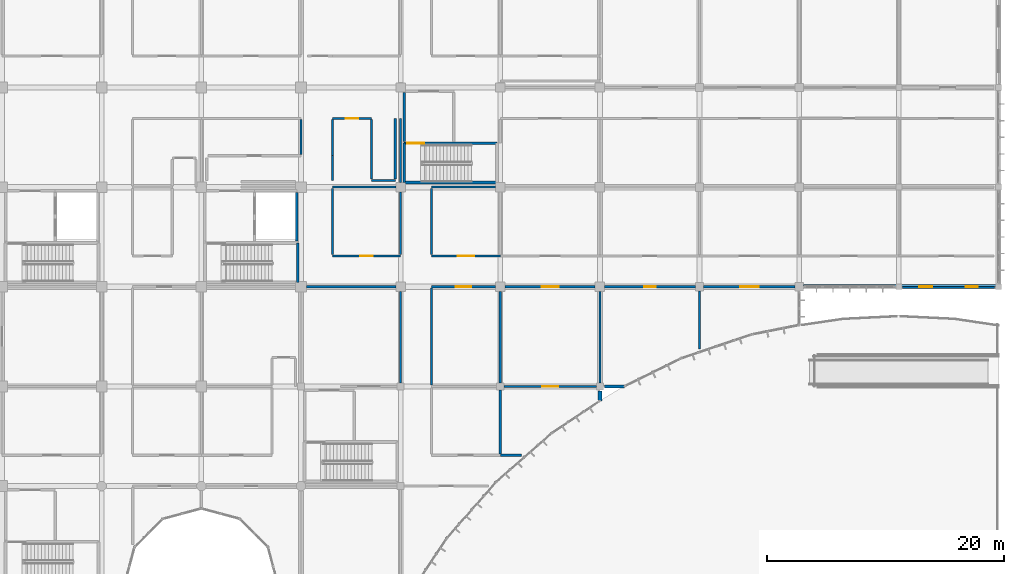
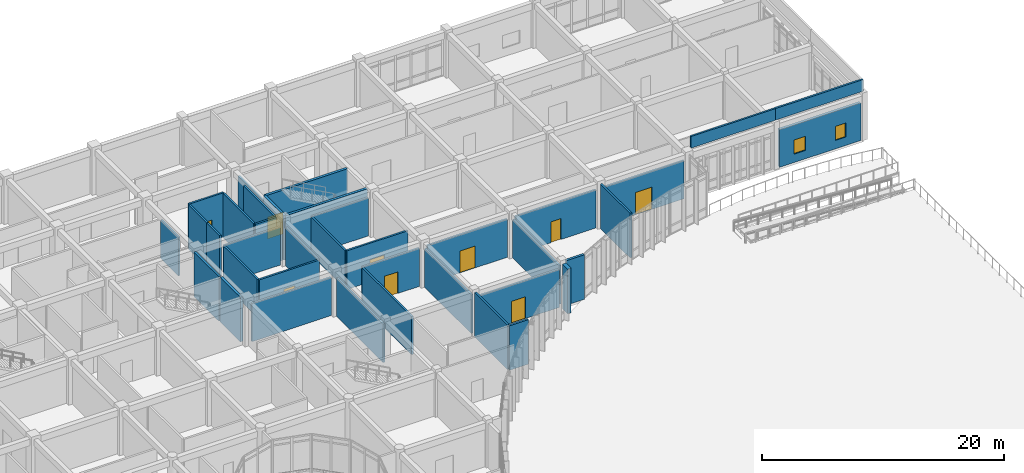
# One storey, part 110 of 138: 39 walls, 9 doors, 2 windows, 11 openings.
"""IFC4 building model written with IfcOpenShell, lengths in metres."""

from ifc_helpers import new_model, si_unit, direction, frame, frame_2d, origin, place, context, subcontext, project, spatial, rectangle, extrude, material, layer, layer_set, type_object, element, fill, save


model = new_model("IFC4")

# Units and contexts
model_context = context("Model", 3, precision=1e-05, world=origin(), true_north=direction((0.0, 1.0)))
body_context = subcontext(model_context, "Body", "Model", "MODEL_VIEW")
ifc_project = project(units=[si_unit("LENGTHUNIT", "METRE"), si_unit("AREAUNIT", "SQUARE_METRE"), si_unit("VOLUMEUNIT", "CUBIC_METRE"), si_unit("PLANEANGLEUNIT", "RADIAN"), si_unit("MASSUNIT", "GRAM", prefix="KILO")], contexts=[model_context])

# Site, building, storey
site_placement = place(None, origin())
site = spatial("IfcSite", under=ifc_project, at=site_placement, CompositionType="ELEMENT")
building_placement = place(site_placement, origin())
building = spatial("IfcBuilding", under=site, at=building_placement, Name="Bramfleet General Hospital", CompositionType="ELEMENT")
storey_placement = place(building_placement, origin())
storey = spatial("IfcBuildingStorey", under=building, at=storey_placement, Name="L00", CompositionType="ELEMENT", Elevation=0.0)

# Wall
ifc_material_1 = material(Name="Precast concrete C40/50", Category="concrete")
ifc_layer_1 = layer(ifc_material_1, 0.3349609375, Name="WT-EW-03")
ifc_layer_set_1 = layer_set([ifc_layer_1], Name="Precast concrete C40/50")
wall_type_1 = type_object("IfcWallType", Name="WT-EW-03", PredefinedType="SOLIDWALL", material=ifc_layer_set_1)
wall_1_placement = place(storey_placement, frame((151.199951171875, 83.625, 0.0), z_axis=(0.0, 0.0, 1.0), x_axis=(0.0, -1.0, 0.0)))
element("IfcWall", 1, at=wall_1_placement, inside=storey, type_object=wall_type_1, Name="L00 Exterior Wall 127", PredefinedType="SOLIDWALL", context=body_context, shape_type="SweptSolid", body=[
    extrude(rectangle(XDim=0.85791015625, YDim=0.3349609375, at=frame_2d((0.428955078125, 0.0))), origin(), (0.0, 0.0, 1.0), 4.489990234375),
])

# Wall, openings, windows
ifc_layer_2 = layer(ifc_material_1, 0.25, Name="WT-EW-08")
ifc_layer_set_2 = layer_set([ifc_layer_2], Name="Precast concrete C40/50")
wall_type_2 = type_object("IfcWallType", Name="WT-EW-08", PredefinedType="SOLIDWALL", material=ifc_layer_set_2)
wall_2_placement = place(storey_placement, frame((184.47509765625, 92.39990234375, 0.0), z_axis=(0.0, 0.0, 1.0), x_axis=(-1.0, 0.0, 0.0)))
wall_2 = element("IfcWall", 2, at=wall_2_placement, inside=storey, type_object=wall_type_2, Name="L00 Exterior Wall 125", PredefinedType="SOLIDWALL", context=body_context, shape_type="SweptSolid", body=[
    extrude(rectangle(XDim=7.75, YDim=0.25, at=frame_2d((3.875, 0.0))), origin(), (0.0, 0.0, 1.0), 3.7900390625),
])
opening_1_placement = place(wall_2_placement, frame((1.4375, 0.0, 0.85009765625)))
opening_1 = element("IfcOpeningElement", 3, at=opening_1_placement, cuts=wall_2, Name="Opening W-11", PredefinedType="OPENING", context=body_context, shape_type="SweptSolid", body=[
    extrude(rectangle(XDim=1.0, YDim=1.419921875, at=frame_2d((0.5, 0.7099609375))), frame((0.0, 0.135009765625, 0.0), z_axis=(0.0, -1.0, 0.0), x_axis=(1.0, 0.0, 0.0)), (0.0, 0.0, 1.0), 0.27001953125),
])
opening_2_placement = place(wall_2_placement, frame((5.262451171875, 0.0, 0.85009765625)))
opening_2 = element("IfcOpeningElement", 4, at=opening_2_placement, cuts=wall_2, Name="Opening W-12", PredefinedType="OPENING", context=body_context, shape_type="SweptSolid", body=[
    extrude(rectangle(XDim=1.10009765625, YDim=1.419921875, at=frame_2d((0.550048828125, 0.7099609375))), frame((0.0, 0.135009765625, 0.0), z_axis=(0.0, -1.0, 0.0), x_axis=(1.0, 0.0, 0.0)), (0.0, 0.0, 1.0), 0.27001953125),
])
ifc_material_2 = material(Name="Anodised aluminium and low-E triple glazing", Category="aluminium")
window_type_1 = type_object("IfcWindowType", Name="WIN-W-11", PartitioningType="SINGLE_PANEL", PredefinedType="WINDOW", material=ifc_material_2)
window_1_placement = place(opening_1_placement, origin())
window_1 = element("IfcWindow", 5, at=window_1_placement, inside=storey, type_object=window_type_1, Name="L00 Facade Window WIN-L00-125-1", OverallHeight=1.419921875, OverallWidth=1.0, PartitioningType="SINGLE_PANEL", PredefinedType="WINDOW", context=body_context, shape_type="SweptSolid", body=[
    extrude(rectangle(XDim=1.0, YDim=1.419921875, at=frame_2d((0.5, 0.7099609375))), frame((0.0, 0.030029296875, 0.0), z_axis=(0.0, -1.0, 0.0), x_axis=(1.0, 0.0, 0.0)), (0.0, 0.0, 1.0), 0.06005859375),
])
fill(opening_1, window_1)
window_type_2 = type_object("IfcWindowType", Name="WIN-W-12", PartitioningType="SINGLE_PANEL", PredefinedType="WINDOW", material=ifc_material_2)
window_2_placement = place(opening_2_placement, origin())
window_2 = element("IfcWindow", 6, at=window_2_placement, inside=storey, type_object=window_type_2, Name="L00 Facade Window WIN-L00-125-2", OverallHeight=1.419921875, OverallWidth=1.10009765625, PartitioningType="SINGLE_PANEL", PredefinedType="WINDOW", context=body_context, shape_type="SweptSolid", body=[
    extrude(rectangle(XDim=1.10009765625, YDim=1.419921875, at=frame_2d((0.550048828125, 0.7099609375))), frame((0.0, 0.030029296875, 0.0), z_axis=(0.0, -1.0, 0.0), x_axis=(1.0, 0.0, 0.0)), (0.0, 0.0, 1.0), 0.06005859375),
])
fill(opening_2, window_2)

# Walls
ifc_layer_3 = layer(ifc_material_1, 0.235107421875, Name="WT-EW-09")
ifc_layer_set_3 = layer_set([ifc_layer_3], Name="Precast concrete C40/50")
wall_type_3 = type_object("IfcWallType", Name="WT-EW-09", PredefinedType="SOLIDWALL", material=ifc_layer_set_3)
wall_3_placement = place(storey_placement, frame((153.27392578125, 84.0, 0.0), z_axis=(0.0, 0.0, 1.0), x_axis=(-1.0, 0.0, 0.0)))
element("IfcWall", 7, at=wall_3_placement, inside=storey, type_object=wall_type_3, Name="L00 Exterior Wall 126", PredefinedType="SOLIDWALL", context=body_context, shape_type="SweptSolid", body=[
    extrude(rectangle(XDim=1.698974609375, YDim=0.235107421875, at=frame_2d((0.849609375, 0.0))), origin(), (0.0, 0.0, 1.0), 4.489990234375),
])
ifc_material_3 = material(Name="Concrete C35/45", Category="concrete")
ifc_layer_4 = layer(ifc_material_3, 0.205078125, Name="WT-IW-02")
ifc_layer_set_4 = layer_set([ifc_layer_4], Name="Concrete C35/45")
wall_type_4 = type_object("IfcWallType", Name="WT-IW-02", PredefinedType="PARTITIONING", material=ifc_layer_set_4)
wall_4_placement = place(storey_placement, frame((125.64990234375, 96.239990234375, 0.0), z_axis=(0.0, 0.0, 1.0), x_axis=(0.0, 1.0, 0.0)))
element("IfcWall", 8, at=wall_4_placement, inside=storey, type_object=wall_type_4, Name="L00 C6 Lift Shaft East Wall", PredefinedType="PARTITIONING", context=body_context, shape_type="SweptSolid", body=[
    extrude(rectangle(XDim=4.1201171875, YDim=0.205078125, at=frame_2d((2.06005859375, 0.0))), origin(), (0.0, 0.0, 1.0), 4.489990234375),
])
wall_5_placement = place(storey_placement, frame((134.699951171875, 104.639892578125, 0.0), z_axis=(0.0, 0.0, 1.0), x_axis=(0.0, 1.0, 0.0)))
element("IfcWall", 9, at=wall_5_placement, inside=storey, type_object=wall_type_4, Name="L00 C9 Lobby West Compartment Wall", PredefinedType="PARTITIONING", context=body_context, shape_type="SweptSolid", body=[
    extrude(rectangle(XDim=4.1201171875, YDim=0.205078125, at=frame_2d((2.06005859375, 0.0))), origin(), (0.0, 0.0, 1.0), 3.889892578125),
])
ifc_layer_5 = layer(ifc_material_3, 0.179931640625, Name="WT-IW-04")
ifc_layer_set_5 = layer_set([ifc_layer_5], Name="Concrete C35/45")
wall_type_5 = type_object("IfcWallType", Name="WT-IW-04", PredefinedType="PARTITIONING", material=ifc_layer_set_5)
wall_6_placement = place(storey_placement, frame((142.800048828125, 78.199951171875, 0.0), z_axis=(0.0, 0.0, 1.0), x_axis=(1.0, 0.0, 0.0)))
element("IfcWall", 10, at=wall_6_placement, inside=storey, type_object=wall_type_5, Name="L00 Interior Partition IW-L00-0780", PredefinedType="PARTITIONING", context=body_context, shape_type="SweptSolid", body=[
    extrude(rectangle(XDim=1.809814453125, YDim=0.179931640625, at=frame_2d((0.90478515625, 0.0))), origin(), (0.0, 0.0, 1.0), 4.489990234375),
])

# Wall, opening, door
wall_7_placement = place(storey_placement, frame((143.094970703125, 84.0, 0.0), z_axis=(0.0, 0.0, 1.0), x_axis=(1.0, 0.0, 0.0)))
wall_7 = element("IfcWall", 11, at=wall_7_placement, inside=storey, type_object=wall_type_5, Name="L00 Interior Partition IW-L00-0798", PredefinedType="PARTITIONING", context=body_context, shape_type="SweptSolid", body=[
    extrude(rectangle(XDim=7.81005859375, YDim=0.179931640625, at=frame_2d((3.905029296875, 0.0))), origin(), (0.0, 0.0, 1.0), 3.840087890625),
])
opening_3_placement = place(wall_7_placement, frame((3.22998046875, 0.0, 0.0)))
opening_3 = element("IfcOpeningElement", 12, at=opening_3_placement, cuts=wall_7, Name="Opening D0578", PredefinedType="OPENING", context=body_context, shape_type="SweptSolid", body=[
    extrude(rectangle(XDim=1.35009765625, YDim=2.199951171875, at=frame_2d((0.675048828125, 1.10009765625))), frame((0.0, 0.099853515625, 0.0), z_axis=(0.0, -1.0, 0.0), x_axis=(1.0, 0.0, 0.0)), (0.0, 0.0, 1.0), 0.199951171875),
])
ifc_material_4 = material(Name="Stainless steel and acoustic timber leaf", Category="steel")
door_type_1 = type_object("IfcDoorType", Name="DR-D-02", OperationType="NOTDEFINED", PredefinedType="DOOR", material=ifc_material_4)
door_1_placement = place(opening_3_placement, origin())
door_1 = element("IfcDoor", 13, at=door_1_placement, inside=storey, type_object=door_type_1, Name="Diagnostic Ultrasound and Fluoroscopy 1709 Door D0578", OperationType="SINGLE_SWING_LEFT", OverallHeight=2.199951171875, OverallWidth=1.35009765625, PredefinedType="DOOR", context=body_context, shape_type="SweptSolid", body=[
    extrude(rectangle(XDim=1.35009765625, YDim=2.199951171875, at=frame_2d((0.675048828125, 1.10009765625))), frame((0.0, 0.02490234375, 0.0), z_axis=(0.0, -1.0, 0.0), x_axis=(1.0, 0.0, 0.0)), (0.0, 0.0, 1.0), 0.050048828125),
])
fill(opening_3, door_1)

# Wall
wall_8_placement = place(storey_placement, frame((126.445068359375, 92.39990234375, 0.0), z_axis=(0.0, 0.0, 1.0), x_axis=(1.0, 0.0, 0.0)))
element("IfcWall", 14, at=wall_8_placement, inside=storey, type_object=wall_type_5, Name="L00 Interior Partition IW-L00-0815", PredefinedType="PARTITIONING", context=body_context, shape_type="SweptSolid", body=[
    extrude(rectangle(XDim=7.559814453125, YDim=0.179931640625, at=frame_2d((3.77978515625, 0.0))), origin(), (0.0, 0.0, 1.0), 3.840087890625),
])

# Wall, opening, door
wall_9_placement = place(storey_placement, frame((137.0, 92.39990234375, 0.0), z_axis=(0.0, 0.0, 1.0), x_axis=(1.0, 0.0, 0.0)))
wall_9 = element("IfcWall", 15, at=wall_9_placement, inside=storey, type_object=wall_type_5, Name="L00 Interior Partition IW-L00-0816", PredefinedType="PARTITIONING", context=body_context, shape_type="SweptSolid", body=[
    extrude(rectangle(XDim=5.405029296875, YDim=0.179931640625, at=frame_2d((2.70263671875, 0.0))), origin(), (0.0, 0.0, 1.0), 3.840087890625),
])
opening_4_placement = place(wall_9_placement, frame((2.0625, 0.0, 0.0)))
opening_4 = element("IfcOpeningElement", 16, at=opening_4_placement, cuts=wall_9, Name="Opening D0573", PredefinedType="OPENING", context=body_context, shape_type="SweptSolid", body=[
    extrude(rectangle(XDim=1.280029296875, YDim=2.179931640625, at=frame_2d((0.64013671875, 1.08984375))), frame((0.0, 0.099853515625, 0.0), z_axis=(0.0, -1.0, 0.0), x_axis=(1.0, 0.0, 0.0)), (0.0, 0.0, 1.0), 0.199951171875),
])
door_type_2 = type_object("IfcDoorType", Name="DR-D-29", OperationType="NOTDEFINED", PredefinedType="DOOR", material=ifc_material_4)
door_2_placement = place(opening_4_placement, origin())
door_2 = element("IfcDoor", 17, at=door_2_placement, inside=storey, type_object=door_type_2, Name="Diagnostic Ultrasound and Fluoroscopy 1610 Door D0573", OperationType="SINGLE_SWING_RIGHT", OverallHeight=2.179931640625, OverallWidth=1.280029296875, PredefinedType="DOOR", context=body_context, shape_type="SweptSolid", body=[
    extrude(rectangle(XDim=1.280029296875, YDim=2.179931640625, at=frame_2d((0.64013671875, 1.08984375))), frame((0.0, 0.02490234375, 0.0), z_axis=(0.0, -1.0, 0.0), x_axis=(1.0, 0.0, 0.0)), (0.0, 0.0, 1.0), 0.050048828125),
])
fill(opening_4, door_2)

wall_10_placement = place(storey_placement, frame((143.195068359375, 92.39990234375, 0.0), z_axis=(0.0, 0.0, 1.0), x_axis=(1.0, 0.0, 0.0)))
wall_10 = element("IfcWall", 18, at=wall_10_placement, inside=storey, type_object=wall_type_5, Name="L00 Interior Partition IW-L00-0817", PredefinedType="PARTITIONING", context=body_context, shape_type="SweptSolid", body=[
    extrude(rectangle(XDim=7.60986328125, YDim=0.179931640625, at=frame_2d((3.804931640625, 0.0))), origin(), (0.0, 0.0, 1.0), 3.840087890625),
])
opening_5_placement = place(wall_10_placement, frame((3.080078125, 0.0, 0.0)))
opening_5 = element("IfcOpeningElement", 19, at=opening_5_placement, cuts=wall_10, Name="Opening D0579", PredefinedType="OPENING", context=body_context, shape_type="SweptSolid", body=[
    extrude(rectangle(XDim=1.449951171875, YDim=2.199951171875, at=frame_2d((0.72509765625, 1.10009765625))), frame((0.0, 0.099853515625, 0.0), z_axis=(0.0, -1.0, 0.0), x_axis=(1.0, 0.0, 0.0)), (0.0, 0.0, 1.0), 0.199951171875),
])
door_type_3 = type_object("IfcDoorType", Name="DR-D-03", OperationType="NOTDEFINED", PredefinedType="DOOR", material=ifc_material_4)
door_3_placement = place(opening_5_placement, origin())
door_3 = element("IfcDoor", 20, at=door_3_placement, inside=storey, type_object=door_type_3, Name="Diagnostic Ultrasound and Fluoroscopy 1710 Door D0579", OperationType="SINGLE_SWING_RIGHT", OverallHeight=2.199951171875, OverallWidth=1.449951171875, PredefinedType="DOOR", context=body_context, shape_type="SweptSolid", body=[
    extrude(rectangle(XDim=1.449951171875, YDim=2.199951171875, at=frame_2d((0.72509765625, 1.10009765625))), frame((0.0, 0.02490234375, 0.0), z_axis=(0.0, -1.0, 0.0), x_axis=(1.0, 0.0, 0.0)), (0.0, 0.0, 1.0), 0.050048828125),
])
fill(opening_5, door_3)

wall_11_placement = place(storey_placement, frame((151.594970703125, 92.39990234375, 0.0), z_axis=(0.0, 0.0, 1.0), x_axis=(1.0, 0.0, 0.0)))
wall_11 = element("IfcWall", 21, at=wall_11_placement, inside=storey, type_object=wall_type_5, Name="L00 Interior Partition IW-L00-0818", PredefinedType="PARTITIONING", context=body_context, shape_type="SweptSolid", body=[
    extrude(rectangle(XDim=7.659912109375, YDim=0.179931640625, at=frame_2d((3.830078125, 0.0))), origin(), (0.0, 0.0, 1.0), 3.840087890625),
])
opening_6_placement = place(wall_11_placement, frame((3.35498046875, 0.0, 0.0)))
opening_6 = element("IfcOpeningElement", 22, at=opening_6_placement, cuts=wall_11, Name="Opening D0586", PredefinedType="OPENING", context=body_context, shape_type="SweptSolid", body=[
    extrude(rectangle(XDim=0.949951171875, YDim=2.10009765625, at=frame_2d((0.47509765625, 1.050048828125))), frame((0.0, 0.099853515625, 0.0), z_axis=(0.0, -1.0, 0.0), x_axis=(1.0, 0.0, 0.0)), (0.0, 0.0, 1.0), 0.199951171875),
])
door_type_4 = type_object("IfcDoorType", Name="DR-D-10", OperationType="NOTDEFINED", PredefinedType="DOOR", material=ifc_material_4)
door_4_placement = place(opening_6_placement, origin())
door_4 = element("IfcDoor", 23, at=door_4_placement, inside=storey, type_object=door_type_4, Name="Diagnostic Ultrasound and Fluoroscopy 1810 Door D0586", OperationType="SINGLE_SWING_LEFT", OverallHeight=2.10009765625, OverallWidth=0.949951171875, PredefinedType="DOOR", context=body_context, shape_type="SweptSolid", body=[
    extrude(rectangle(XDim=0.949951171875, YDim=2.10009765625, at=frame_2d((0.47509765625, 1.050048828125))), frame((0.0, 0.02490234375, 0.0), z_axis=(0.0, -1.0, 0.0), x_axis=(1.0, 0.0, 0.0)), (0.0, 0.0, 1.0), 0.050048828125),
])
fill(opening_6, door_4)

wall_12_placement = place(storey_placement, frame((159.945068359375, 92.39990234375, 0.0), z_axis=(0.0, 0.0, 1.0), x_axis=(1.0, 0.0, 0.0)))
wall_12 = element("IfcWall", 24, at=wall_12_placement, inside=storey, type_object=wall_type_5, Name="L00 Interior Partition IW-L00-0819", PredefinedType="PARTITIONING", context=body_context, shape_type="SweptSolid", body=[
    extrude(rectangle(XDim=7.7099609375, YDim=0.179931640625, at=frame_2d((3.85498046875, 0.0))), origin(), (0.0, 0.0, 1.0), 3.840087890625),
])
opening_7_placement = place(wall_12_placement, frame((3.0849609375, 0.0, 0.0)))
opening_7 = element("IfcOpeningElement", 25, at=opening_7_placement, cuts=wall_12, Name="Opening D0593", PredefinedType="OPENING", context=body_context, shape_type="SweptSolid", body=[
    extrude(rectangle(XDim=1.5400390625, YDim=2.239990234375, at=frame_2d((0.77001953125, 1.1201171875))), frame((0.0, 0.099853515625, 0.0), z_axis=(0.0, -1.0, 0.0), x_axis=(1.0, 0.0, 0.0)), (0.0, 0.0, 1.0), 0.199951171875),
])
door_type_5 = type_object("IfcDoorType", Name="DR-D-17", OperationType="NOTDEFINED", PredefinedType="DOOR", material=ifc_material_4)
door_5_placement = place(opening_7_placement, origin())
door_5 = element("IfcDoor", 26, at=door_5_placement, inside=storey, type_object=door_type_5, Name="Diagnostic Ultrasound and Fluoroscopy 1910 Door D0593", OperationType="SINGLE_SWING_RIGHT", OverallHeight=2.239990234375, OverallWidth=1.5400390625, PredefinedType="DOOR", context=body_context, shape_type="SweptSolid", body=[
    extrude(rectangle(XDim=1.5400390625, YDim=2.239990234375, at=frame_2d((0.77001953125, 1.1201171875))), frame((0.0, 0.02490234375, 0.0), z_axis=(0.0, -1.0, 0.0), x_axis=(1.0, 0.0, 0.0)), (0.0, 0.0, 1.0), 0.050048828125),
])
fill(opening_7, door_5)

wall_13_placement = place(storey_placement, frame((128.64990234375, 95.0, 0.0), z_axis=(0.0, 0.0, 1.0), x_axis=(1.0, 0.0, 0.0)))
wall_13 = element("IfcWall", 27, at=wall_13_placement, inside=storey, type_object=wall_type_5, Name="L00 Interior Partition IW-L00-0831", PredefinedType="PARTITIONING", context=body_context, shape_type="SweptSolid", body=[
    extrude(rectangle(XDim=5.75, YDim=0.179931640625, at=frame_2d((2.875, 0.0))), origin(), (0.0, 0.0, 1.0), 3.889892578125),
])
opening_8_placement = place(wall_13_placement, frame((2.364990234375, 0.0, 0.0)))
opening_8 = element("IfcOpeningElement", 28, at=opening_8_placement, cuts=wall_13, Name="Opening D0565", PredefinedType="OPENING", context=body_context, shape_type="SweptSolid", body=[
    extrude(rectangle(XDim=1.02001953125, YDim=2.1201171875, at=frame_2d((0.510009765625, 1.06005859375))), frame((0.0, 0.099853515625, 0.0), z_axis=(0.0, -1.0, 0.0), x_axis=(1.0, 0.0, 0.0)), (0.0, 0.0, 1.0), 0.199951171875),
])
door_type_6 = type_object("IfcDoorType", Name="DR-D-21", OperationType="NOTDEFINED", PredefinedType="DOOR", material=ifc_material_4)
door_6_placement = place(opening_8_placement, origin())
door_6 = element("IfcDoor", 29, at=door_6_placement, inside=storey, type_object=door_type_6, Name="Diagnostic Ultrasound and Fluoroscopy 1511 Door D0565", OperationType="SINGLE_SWING_RIGHT", OverallHeight=2.1201171875, OverallWidth=1.02001953125, PredefinedType="DOOR", context=body_context, shape_type="SweptSolid", body=[
    extrude(rectangle(XDim=1.02001953125, YDim=2.1201171875, at=frame_2d((0.510009765625, 1.06005859375))), frame((0.0, 0.02490234375, 0.0), z_axis=(0.0, -1.0, 0.0), x_axis=(1.0, 0.0, 0.0)), (0.0, 0.0, 1.0), 0.050048828125),
])
fill(opening_8, door_6)

wall_14_placement = place(storey_placement, frame((137.0, 95.0, 0.0), z_axis=(0.0, 0.0, 1.0), x_axis=(1.0, 0.0, 0.0)))
wall_14 = element("IfcWall", 30, at=wall_14_placement, inside=storey, type_object=wall_type_5, Name="L00 Interior Partition IW-L00-0832", PredefinedType="PARTITIONING", context=body_context, shape_type="SweptSolid", body=[
    extrude(rectangle(XDim=5.800048828125, YDim=0.179931640625, at=frame_2d((2.89990234375, 0.0))), origin(), (0.0, 0.0, 1.0), 3.889892578125),
])
opening_9_placement = place(wall_14_placement, frame((2.2099609375, 0.0, 0.0)))
opening_9 = element("IfcOpeningElement", 31, at=opening_9_placement, cuts=wall_14, Name="Opening D0574", PredefinedType="OPENING", context=body_context, shape_type="SweptSolid", body=[
    extrude(rectangle(XDim=1.3798828125, YDim=2.219970703125, at=frame_2d((0.68994140625, 1.10986328125))), frame((0.0, 0.099853515625, 0.0), z_axis=(0.0, -1.0, 0.0), x_axis=(1.0, 0.0, 0.0)), (0.0, 0.0, 1.0), 0.199951171875),
])
door_type_7 = type_object("IfcDoorType", Name="DR-D-30", OperationType="NOTDEFINED", PredefinedType="DOOR", material=ifc_material_4)
door_7_placement = place(opening_9_placement, origin())
door_7 = element("IfcDoor", 32, at=door_7_placement, inside=storey, type_object=door_type_7, Name="Diagnostic Ultrasound and Fluoroscopy 1611 Door D0574", OperationType="SINGLE_SWING_LEFT", OverallHeight=2.219970703125, OverallWidth=1.3798828125, PredefinedType="DOOR", context=body_context, shape_type="SweptSolid", body=[
    extrude(rectangle(XDim=1.3798828125, YDim=2.219970703125, at=frame_2d((0.68994140625, 1.10986328125))), frame((0.0, 0.02490234375, 0.0), z_axis=(0.0, -1.0, 0.0), x_axis=(1.0, 0.0, 0.0)), (0.0, 0.0, 1.0), 0.050048828125),
])
fill(opening_9, door_7)

# Walls
wall_15_placement = place(storey_placement, frame((128.64990234375, 100.800048828125, 0.0), z_axis=(0.0, 0.0, 1.0), x_axis=(1.0, 0.0, 0.0)))
element("IfcWall", 33, at=wall_15_placement, inside=storey, type_object=wall_type_5, Name="L00 Interior Partition IW-L00-0853", PredefinedType="PARTITIONING", context=body_context, shape_type="SweptSolid", body=[
    extrude(rectangle(XDim=5.35498046875, YDim=0.179931640625, at=frame_2d((2.677490234375, 0.0))), origin(), (0.0, 0.0, 1.0), 3.840087890625),
])
wall_16_placement = place(storey_placement, frame((137.0, 100.800048828125, 0.0), z_axis=(0.0, 0.0, 1.0), x_axis=(1.0, 0.0, 0.0)))
element("IfcWall", 34, at=wall_16_placement, inside=storey, type_object=wall_type_5, Name="L00 Interior Partition IW-L00-0854", PredefinedType="PARTITIONING", context=body_context, shape_type="SweptSolid", body=[
    extrude(rectangle(XDim=5.405029296875, YDim=0.179931640625, at=frame_2d((2.70263671875, 0.0))), origin(), (0.0, 0.0, 1.0), 3.840087890625),
])
wall_17_placement = place(storey_placement, frame((131.949951171875, 101.35009765625, 0.0), z_axis=(0.0, 0.0, 1.0), x_axis=(1.0, 0.0, 0.0)))
element("IfcWall", 35, at=wall_17_placement, inside=storey, type_object=wall_type_5, Name="L00 Interior Partition IW-L00-0863", PredefinedType="PARTITIONING", context=body_context, shape_type="SweptSolid", body=[
    extrude(rectangle(XDim=2.0, YDim=0.179931640625, at=frame_2d((1.0, 0.0))), origin(), (0.0, 0.0, 1.0), 4.489990234375),
])

# Wall, opening, door
wall_18_placement = place(storey_placement, frame((128.64990234375, 106.60009765625, 0.0), z_axis=(0.0, 0.0, 1.0), x_axis=(1.0, 0.0, 0.0)))
wall_18 = element("IfcWall", 36, at=wall_18_placement, inside=storey, type_object=wall_type_5, Name="L00 Interior Partition IW-L00-0879", PredefinedType="PARTITIONING", context=body_context, shape_type="SweptSolid", body=[
    extrude(rectangle(XDim=3.300048828125, YDim=0.179931640625, at=frame_2d((1.64990234375, 0.0))), origin(), (0.0, 0.0, 1.0), 4.489990234375),
])
opening_10_placement = place(wall_18_placement, frame((1.110107421875, 0.0, 0.0)))
opening_10 = element("IfcOpeningElement", 37, at=opening_10_placement, cuts=wall_18, Name="Opening D0566", PredefinedType="OPENING", context=body_context, shape_type="SweptSolid", body=[
    extrude(rectangle(XDim=1.080078125, YDim=2.1201171875, at=frame_2d((0.5400390625, 1.06005859375))), frame((0.0, 0.099853515625, 0.0), z_axis=(0.0, -1.0, 0.0), x_axis=(1.0, 0.0, 0.0)), (0.0, 0.0, 1.0), 0.199951171875),
])
door_type_8 = type_object("IfcDoorType", Name="DR-D-22", OperationType="NOTDEFINED", PredefinedType="DOOR", material=ifc_material_4)
door_8_placement = place(opening_10_placement, origin())
door_8 = element("IfcDoor", 38, at=door_8_placement, inside=storey, type_object=door_type_8, Name="Diagnostic Ultrasound and Fluoroscopy 1512 Door D0566", OperationType="SINGLE_SWING_LEFT", OverallHeight=2.1201171875, OverallWidth=1.080078125, PredefinedType="DOOR", context=body_context, shape_type="SweptSolid", body=[
    extrude(rectangle(XDim=1.080078125, YDim=2.1201171875, at=frame_2d((0.5400390625, 1.06005859375))), frame((0.0, 0.02490234375, 0.0), z_axis=(0.0, -1.0, 0.0), x_axis=(1.0, 0.0, 0.0)), (0.0, 0.0, 1.0), 0.050048828125),
])
fill(opening_10, door_8)

# Walls
wall_19_placement = place(storey_placement, frame((126.0, 103.56494140625, 0.0), z_axis=(0.0, 0.0, 1.0), x_axis=(0.0, 1.0, 0.0)))
element("IfcWall", 39, at=wall_19_placement, inside=storey, type_object=wall_type_5, Name="L00 Interior Partition IW-L00-1139", PredefinedType="PARTITIONING", context=body_context, shape_type="SweptSolid", body=[
    extrude(rectangle(XDim=2.920166015625, YDim=0.179931640625, at=frame_2d((1.4599609375, 0.0))), origin(), (0.0, 0.0, 1.0), 3.889892578125),
])
wall_20_placement = place(storey_placement, frame((128.64990234375, 95.114990234375, 0.0), z_axis=(0.0, 0.0, 1.0), x_axis=(0.0, 1.0, 0.0)))
element("IfcWall", 40, at=wall_20_placement, inside=storey, type_object=wall_type_5, Name="L00 Interior Partition IW-L00-1141", PredefinedType="PARTITIONING", context=body_context, shape_type="SweptSolid", body=[
    extrude(rectangle(XDim=5.570068359375, YDim=0.179931640625, at=frame_2d((2.78515625, 0.0))), origin(), (0.0, 0.0, 1.0), 3.840087890625),
])
wall_21_placement = place(storey_placement, frame((128.64990234375, 101.35009765625, 0.0), z_axis=(0.0, 0.0, 1.0), x_axis=(0.0, 1.0, 0.0)))
element("IfcWall", 41, at=wall_21_placement, inside=storey, type_object=wall_type_5, Name="L00 Interior Partition IW-L00-1142", PredefinedType="PARTITIONING", context=body_context, shape_type="SweptSolid", body=[
    extrude(rectangle(XDim=2.099853515625, YDim=0.179931640625, at=frame_2d((1.0498046875, 0.0))), origin(), (0.0, 0.0, 1.0), 4.489990234375),
])
wall_22_placement = place(storey_placement, frame((128.64990234375, 103.449951171875, 0.0), z_axis=(0.0, 0.0, 1.0), x_axis=(0.0, 1.0, 0.0)))
element("IfcWall", 42, at=wall_22_placement, inside=storey, type_object=wall_type_5, Name="L00 Interior Partition IW-L00-1143", PredefinedType="PARTITIONING", context=body_context, shape_type="SweptSolid", body=[
    extrude(rectangle(XDim=3.03515625, YDim=0.179931640625, at=frame_2d((1.517578125, 0.0))), origin(), (0.0, 0.0, 1.0), 4.489990234375),
])
wall_23_placement = place(storey_placement, frame((131.949951171875, 101.465087890625, 0.0), z_axis=(0.0, 0.0, 1.0), x_axis=(0.0, 1.0, 0.0)))
element("IfcWall", 43, at=wall_23_placement, inside=storey, type_object=wall_type_5, Name="L00 Interior Partition IW-L00-1144", PredefinedType="PARTITIONING", context=body_context, shape_type="SweptSolid", body=[
    extrude(rectangle(XDim=5.02001953125, YDim=0.179931640625, at=frame_2d((2.510009765625, 0.0))), origin(), (0.0, 0.0, 1.0), 4.489990234375),
])
wall_24_placement = place(storey_placement, frame((133.949951171875, 101.465087890625, 0.0), z_axis=(0.0, 0.0, 1.0), x_axis=(0.0, 1.0, 0.0)))
element("IfcWall", 44, at=wall_24_placement, inside=storey, type_object=wall_type_5, Name="L00 Interior Partition IW-L00-1145", PredefinedType="PARTITIONING", context=body_context, shape_type="SweptSolid", body=[
    extrude(rectangle(XDim=5.135009765625, YDim=0.179931640625, at=frame_2d((2.5673828125, 0.0))), origin(), (0.0, 0.0, 1.0), 4.489990234375),
])
wall_25_placement = place(storey_placement, frame((134.39990234375, 84.294921875, 0.0), z_axis=(0.0, 0.0, 1.0), x_axis=(0.0, 1.0, 0.0)))
element("IfcWall", 45, at=wall_25_placement, inside=storey, type_object=wall_type_5, Name="L00 Interior Partition IW-L00-1150", PredefinedType="PARTITIONING", context=body_context, shape_type="SweptSolid", body=[
    extrude(rectangle(XDim=7.7099609375, YDim=0.179931640625, at=frame_2d((3.85498046875, 0.0))), origin(), (0.0, 0.0, 1.0), 3.889892578125),
])
wall_26_placement = place(storey_placement, frame((134.39990234375, 95.114990234375, 0.0), z_axis=(0.0, 0.0, 1.0), x_axis=(0.0, 1.0, 0.0)))
element("IfcWall", 46, at=wall_26_placement, inside=storey, type_object=wall_type_5, Name="L00 Interior Partition IW-L00-1151", PredefinedType="PARTITIONING", context=body_context, shape_type="SweptSolid", body=[
    extrude(rectangle(XDim=5.2900390625, YDim=0.179931640625, at=frame_2d((2.64501953125, 0.0))), origin(), (0.0, 0.0, 1.0), 3.889892578125),
])
wall_27_placement = place(storey_placement, frame((134.39990234375, 101.195068359375, 0.0), z_axis=(0.0, 0.0, 1.0), x_axis=(0.0, 1.0, 0.0)))
element("IfcWall", 47, at=wall_27_placement, inside=storey, type_object=wall_type_5, Name="L00 Interior Partition IW-L00-1152", PredefinedType="PARTITIONING", context=body_context, shape_type="SweptSolid", body=[
    extrude(rectangle(XDim=5.405029296875, YDim=0.179931640625, at=frame_2d((2.70263671875, 0.0))), origin(), (0.0, 0.0, 1.0), 3.889892578125),
])
wall_28_placement = place(storey_placement, frame((137.0, 84.114990234375, 0.0), z_axis=(0.0, 0.0, 1.0), x_axis=(0.0, 1.0, 0.0)))
element("IfcWall", 48, at=wall_28_placement, inside=storey, type_object=wall_type_5, Name="L00 Interior Partition IW-L00-1158", PredefinedType="PARTITIONING", context=body_context, shape_type="SweptSolid", body=[
    extrude(rectangle(XDim=8.169921875, YDim=0.179931640625, at=frame_2d((4.0849609375, 0.0))), origin(), (0.0, 0.0, 1.0), 3.840087890625),
])
wall_29_placement = place(storey_placement, frame((137.0, 95.114990234375, 0.0), z_axis=(0.0, 0.0, 1.0), x_axis=(0.0, 1.0, 0.0)))
element("IfcWall", 49, at=wall_29_placement, inside=storey, type_object=wall_type_5, Name="L00 Interior Partition IW-L00-1159", PredefinedType="PARTITIONING", context=body_context, shape_type="SweptSolid", body=[
    extrude(rectangle(XDim=5.570068359375, YDim=0.179931640625, at=frame_2d((2.78515625, 0.0))), origin(), (0.0, 0.0, 1.0), 3.840087890625),
])
wall_30_placement = place(storey_placement, frame((142.800048828125, 78.31494140625, 0.0), z_axis=(0.0, 0.0, 1.0), x_axis=(0.0, 1.0, 0.0)))
element("IfcWall", 50, at=wall_30_placement, inside=storey, type_object=wall_type_5, Name="L00 Interior Partition IW-L00-1166", PredefinedType="PARTITIONING", context=body_context, shape_type="SweptSolid", body=[
    extrude(rectangle(XDim=5.39013671875, YDim=0.179931640625, at=frame_2d((2.695068359375, 0.0))), origin(), (0.0, 0.0, 1.0), 4.489990234375),
])
for number, where, z_axis, x_axis, name in (
    (51, (142.800048828125, 84.294921875, 0.0), (0.0, 0.0, 1.0), (0.0, 1.0, 0.0), "L00 Interior Partition IW-L00-1167"),
    (52, (151.199951171875, 84.294921875, 0.0), (0.0, 0.0, 1.0), (0.0, 1.0, 0.0), "L00 Interior Partition IW-L00-1174"),
):
    element("IfcWall", number, at=place(storey_placement, frame(where, z_axis=z_axis, x_axis=x_axis)), inside=storey, type_object=wall_type_5, Name=name, PredefinedType="PARTITIONING", context=body_context, shape_type="SweptSolid", body=[
        extrude(rectangle(XDim=7.7099609375, YDim=0.179931640625, at=frame_2d((3.85498046875, 0.0))), origin(), (0.0, 0.0, 1.0), 3.889892578125),
    ])
wall_31_placement = place(storey_placement, frame((159.60009765625, 87.17431640625, 0.0), z_axis=(0.0, 0.0, 1.0), x_axis=(0.0, 1.0, 0.0)))
element("IfcWall", 53, at=wall_31_placement, inside=storey, type_object=wall_type_5, Name="L00 Interior Partition IW-L00-1182", PredefinedType="PARTITIONING", context=body_context, shape_type="SweptSolid", body=[
    extrude(rectangle(XDim=4.880615234375, YDim=0.179931640625, at=frame_2d((2.4404296875, 0.0))), origin(), (0.0, 0.0, 1.0), 4.489990234375),
])
ifc_layer_6 = layer(ifc_material_1, 0.18505859375, Name="WT-PW-02")
ifc_layer_set_6 = layer_set([ifc_layer_6], Name="Precast concrete C40/50")
wall_type_6 = type_object("IfcWallType", Name="WT-PW-02", PredefinedType="PARAPET", material=ifc_layer_set_6)
wall_32_placement = place(storey_placement, frame((184.800048828125, 92.50244140625, 4.780029296875), z_axis=(0.0, 0.0, 1.0), x_axis=(-1.0, 0.0, 0.0)))
element("IfcWall", 54, at=wall_32_placement, inside=storey, type_object=wall_type_6, Name="Roof Parapet Wall 77", PredefinedType="PARAPET", context=body_context, shape_type="SweptSolid", body=[
    extrude(rectangle(XDim=8.400146484375, YDim=0.18505859375, at=frame_2d((4.2001953125, 0.0))), origin(), (0.0, 0.0, 1.0), 1.169921875),
])
ifc_layer_7 = layer(ifc_material_1, 0.169921875, Name="WT-PW-03")
ifc_layer_set_7 = layer_set([ifc_layer_7], Name="Precast concrete C40/50")
wall_type_7 = type_object("IfcWallType", Name="WT-PW-03", PredefinedType="PARAPET", material=ifc_layer_set_7)
wall_33_placement = place(storey_placement, frame((176.39990234375, 92.4951171875, 4.780029296875), z_axis=(0.0, 0.0, 1.0), x_axis=(-1.0, 0.0, 0.0)))
element("IfcWall", 55, at=wall_33_placement, inside=storey, type_object=wall_type_7, Name="Roof Parapet Wall 78", PredefinedType="PARAPET", context=body_context, shape_type="SweptSolid", body=[
    extrude(rectangle(XDim=8.02001953125, YDim=0.169921875, at=frame_2d((4.010009765625, 0.0))), origin(), (0.0, 0.0, 1.0), 1.169921875),
])
ifc_material_5 = material(Name="Concrete C40/50", Category="concrete")
ifc_layer_8 = layer(ifc_material_5, 0.239990234375, Name="WT-SW-240")
ifc_layer_set_8 = layer_set([ifc_layer_8], Name="Concrete C40/50")
wall_type_8 = type_object("IfcWallType", Name="WT-SW-240", PredefinedType="SHEAR", material=ifc_layer_set_8)
wall_34_placement = place(storey_placement, frame((125.719970703125, 92.780029296875, 0.0), z_axis=(0.0, 0.0, 1.0), x_axis=(0.0, 1.0, 0.0)))
element("IfcWall", 56, at=wall_34_placement, inside=storey, type_object=wall_type_8, Name="L00 C6 East Stair Shear Wall", PredefinedType="SHEAR", context=body_context, shape_type="SweptSolid", body=[
    extrude(rectangle(XDim=3.320068359375, YDim=0.239990234375, at=frame_2d((1.66015625, 0.0))), origin(), (0.0, 0.0, 1.0), 4.5),
])
wall_35_placement = place(storey_placement, frame((134.699951171875, 101.179931640625, 0.0), z_axis=(0.0, 0.0, 1.0), x_axis=(1.0, 0.0, 0.0)))
element("IfcWall", 57, at=wall_35_placement, inside=storey, type_object=wall_type_8, Name="L00 C9 South Stair Shear Wall", PredefinedType="SHEAR", context=body_context, shape_type="SweptSolid", body=[
    extrude(rectangle(XDim=7.820068359375, YDim=0.239990234375, at=frame_2d((3.91015625, 0.0))), origin(), (0.0, 0.0, 1.0), 4.5),
])
wall_36_placement = place(storey_placement, frame((134.699951171875, 101.179931640625, 0.0), z_axis=(0.0, 0.0, 1.0), x_axis=(0.0, 1.0, 0.0)))
element("IfcWall", 58, at=wall_36_placement, inside=storey, type_object=wall_type_8, Name="L00 C9 West Stair Shear Wall", PredefinedType="SHEAR", context=body_context, shape_type="SweptSolid", body=[
    extrude(rectangle(XDim=3.320068359375, YDim=0.239990234375, at=frame_2d((1.66015625, 0.0))), origin(), (0.0, 0.0, 1.0), 4.5),
])

# Wall, opening, door
wall_37_placement = place(storey_placement, frame((134.699951171875, 104.5, 0.0), z_axis=(0.0, 0.0, 1.0), x_axis=(1.0, 0.0, 0.0)))
wall_37 = element("IfcWall", 59, at=wall_37_placement, inside=storey, type_object=wall_type_8, Name="L00 C9 Stair-Lobby Shear Wall", PredefinedType="SHEAR", context=body_context, shape_type="SweptSolid", body=[
    extrude(rectangle(XDim=7.820068359375, YDim=0.239990234375, at=frame_2d((3.91015625, 0.0))), origin(), (0.0, 0.0, 1.0), 4.5),
])
opening_11_placement = place(wall_37_placement, frame((0.25, 0.0, 0.0)))
opening_11 = element("IfcOpeningElement", 60, at=opening_11_placement, cuts=wall_37, Name="Opening D0109", PredefinedType="OPENING", context=body_context, shape_type="SweptSolid", body=[
    extrude(rectangle(XDim=1.449951171875, YDim=2.199951171875, at=frame_2d((0.72509765625, 1.10009765625))), frame((0.0, 0.1298828125, 0.0), z_axis=(0.0, -1.0, 0.0), x_axis=(1.0, 0.0, 0.0)), (0.0, 0.0, 1.0), 0.260009765625),
])
door_9_placement = place(opening_11_placement, origin())
door_9 = element("IfcDoor", 61, at=door_9_placement, inside=storey, type_object=door_type_3, Name="L00 C9 Escape Stair Fire Door D0109", OperationType="SINGLE_SWING_RIGHT", OverallHeight=2.199951171875, OverallWidth=1.449951171875, PredefinedType="DOOR", context=body_context, shape_type="SweptSolid", body=[
    extrude(rectangle(XDim=1.449951171875, YDim=2.199951171875, at=frame_2d((0.72509765625, 1.10009765625))), frame((0.0, 0.02490234375, 0.0), z_axis=(0.0, -1.0, 0.0), x_axis=(1.0, 0.0, 0.0)), (0.0, 0.0, 1.0), 0.050048828125),
])
fill(opening_11, door_9)

save(model, "model.ifc")
